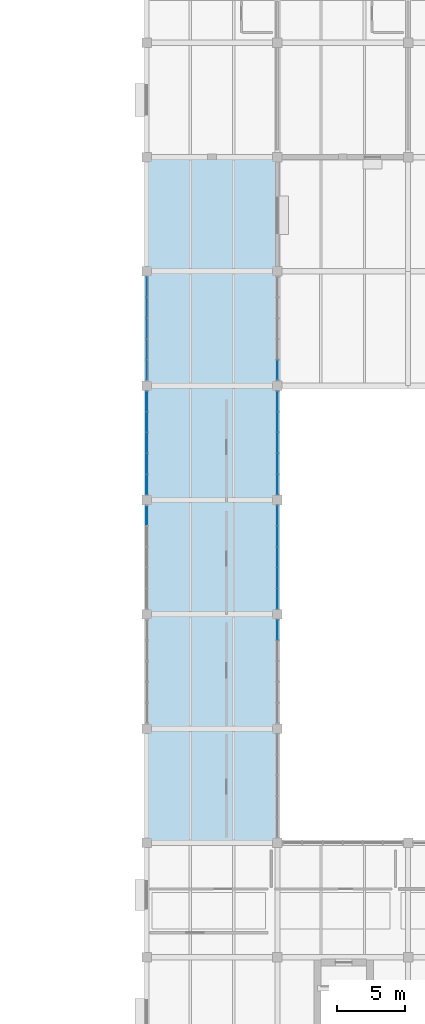
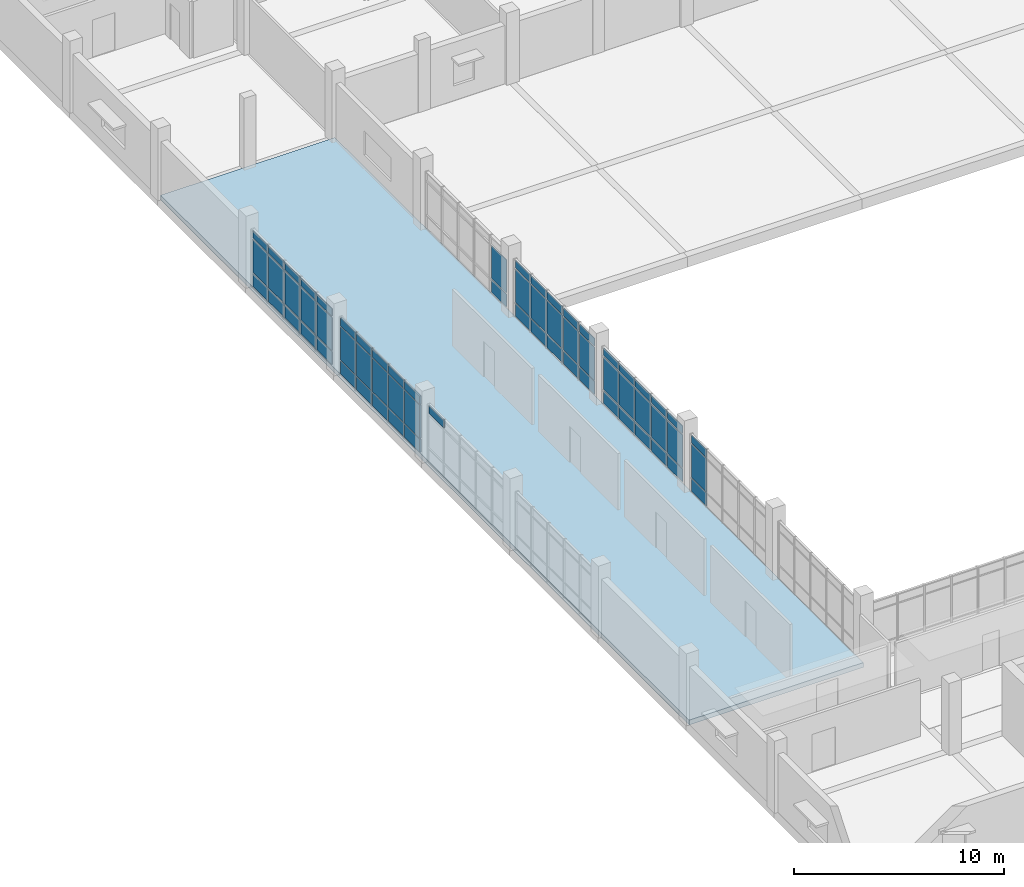
# One storey, part 28 of 57: 66 plates, 1 slab, 7 elements without a shape of their own.
"""IFC4 building model written with IfcOpenShell, lengths in metres."""

from ifc_helpers import new_model, si_unit, direction, frame, origin, origin_2d, place, context, subcontext, project, spatial, polyline, rectangle, outline, extrude, material, layer, layer_set, type_object, element, aggregate, save


model = new_model("IFC4")

# Units and contexts
model_context = context("Model", 3, precision=1e-05, world=origin(), true_north=direction((0.0, 1.0)))
body_context = subcontext(model_context, "Body", "Model", "MODEL_VIEW")
ifc_project = project(units=[si_unit("LENGTHUNIT", "METRE"), si_unit("AREAUNIT", "SQUARE_METRE"), si_unit("VOLUMEUNIT", "CUBIC_METRE"), si_unit("PLANEANGLEUNIT", "RADIAN"), si_unit("MASSUNIT", "GRAM", prefix="KILO")], contexts=[model_context])

# Site, building, storey
site_placement = place(None, origin())
site = spatial("IfcSite", under=ifc_project, at=site_placement, CompositionType="ELEMENT")
building_placement = place(site_placement, origin())
building = spatial("IfcBuilding", under=site, at=building_placement, Name="Oolite Switchyard Hospital", CompositionType="ELEMENT")
storey_placement = place(building_placement, frame((0.0, 0.0, 17.800048828125)))
storey = spatial("IfcBuildingStorey", under=building, at=storey_placement, Name="L04", CompositionType="ELEMENT", Elevation=17.800048828125)

# Curtain wall, plate
ifc_material_1 = material(Name="Thermally broken aluminum frame with laminated impact glazing", Category="aluminium")
curtain_wall_type = type_object("IfcCurtainWallType", Name="CW-UNIT-84X42", PredefinedType="USERDEFINED", material=ifc_material_1)
curtain_wall_1_placement = place(storey_placement, origin())
curtain_wall_1 = element("IfcCurtainWall", 1, at=curtain_wall_1_placement, inside=storey, type_object=curtain_wall_type, Name="L04 Unitised Curtain Wall 365", ObjectType="UNITISED", PredefinedType="USERDEFINED")
ifc_material_2 = material(Name="Insulated fluoropolymer-coated aluminum spandrel panel", Category="aluminium")
ifc_layer_1 = layer(ifc_material_2, 0.054931640625)
ifc_layer_set_1 = layer_set([ifc_layer_1], Name="CW-PNL-SPN55")
plate_type_1 = type_object("IfcPlateType", Name="CW-PNL-SPN55", PredefinedType="CURTAIN_PANEL", material=ifc_layer_set_1)
plate_1_placement = place(storey_placement, frame((134.39990234375, 49.2529296875, 2.87744140625), z_axis=(0.0, 0.0, 1.0), x_axis=(0.0, 1.0, 0.0)))
plate_1 = element("IfcPlate", 2, at=plate_1_placement, type_object=plate_type_1, Name="CW-10 panel 5.3", PredefinedType="CURTAIN_PANEL", context=body_context, shape_type="SweptSolid", body=[
    extrude(rectangle(XDim=1.444091796875, YDim=0.054931640625, at=origin_2d()), origin(), (0.0, 0.0, 1.0), 0.4375),
])
aggregate(curtain_wall_1, [plate_1])

# Curtain wall, plates
curtain_wall_2_placement = place(storey_placement, origin())
curtain_wall_2 = element("IfcCurtainWall", 3, at=curtain_wall_2_placement, inside=storey, type_object=curtain_wall_type, Name="L04 Unitised Curtain Wall 366", ObjectType="UNITISED", PredefinedType="USERDEFINED")
ifc_layer_2 = layer(ifc_material_2, 0.070068359375)
ifc_layer_set_2 = layer_set([ifc_layer_2], Name="CW-PNL-SPN70")
plate_type_2 = type_object("IfcPlateType", Name="CW-PNL-SPN70", PredefinedType="CURTAIN_PANEL", material=ifc_layer_set_2)
plate_2_placement = place(storey_placement, frame((134.39990234375, 51.549560546875, 0.06005859375), z_axis=(0.0, 0.0, 1.0), x_axis=(0.0, 1.0, 0.0)))
plate_2 = element("IfcPlate", 4, at=plate_2_placement, type_object=plate_type_2, Name="CW-10 panel 1.1", PredefinedType="CURTAIN_PANEL", context=body_context, shape_type="SweptSolid", body=[
    extrude(rectangle(XDim=1.428955078125, YDim=0.070068359375, at=origin_2d()), origin(), (0.0, 0.0, 1.0), 0.760009765625),
])
plate_3_placement = place(storey_placement, frame((134.39990234375, 51.549560546875, 0.8798828125), z_axis=(0.0, 0.0, 1.0), x_axis=(0.0, 1.0, 0.0)))
plate_3 = element("IfcPlate", 5, at=plate_3_placement, type_object=plate_type_2, Name="CW-10 panel 1.2", PredefinedType="CURTAIN_PANEL", context=body_context, shape_type="SweptSolid", body=[
    extrude(rectangle(XDim=1.428955078125, YDim=0.070068359375, at=origin_2d()), origin(), (0.0, 0.0, 1.0), 1.929931640625),
])
plate_4_placement = place(storey_placement, frame((134.39990234375, 51.549560546875, 2.869873046875), z_axis=(0.0, 0.0, 1.0), x_axis=(0.0, 1.0, 0.0)))
plate_4 = element("IfcPlate", 6, at=plate_4_placement, type_object=plate_type_2, Name="CW-10 panel 1.3", PredefinedType="CURTAIN_PANEL", context=body_context, shape_type="SweptSolid", body=[
    extrude(rectangle(XDim=1.428955078125, YDim=0.070068359375, at=origin_2d()), origin(), (0.0, 0.0, 1.0), 0.4599609375),
])
plate_5_placement = place(storey_placement, frame((134.39990234375, 53.06591796875, 0.06005859375), z_axis=(0.0, 0.0, 1.0), x_axis=(0.0, 1.0, 0.0)))
plate_5 = element("IfcPlate", 7, at=plate_5_placement, type_object=plate_type_2, Name="CW-10 panel 2.1", PredefinedType="CURTAIN_PANEL", context=body_context, shape_type="SweptSolid", body=[
    extrude(rectangle(XDim=1.464111328125, YDim=0.070068359375, at=origin_2d()), origin(), (0.0, 0.0, 1.0), 0.760009765625),
])
plate_6_placement = place(storey_placement, frame((134.39990234375, 53.06591796875, 0.8798828125), z_axis=(0.0, 0.0, 1.0), x_axis=(0.0, 1.0, 0.0)))
plate_6 = element("IfcPlate", 8, at=plate_6_placement, type_object=plate_type_2, Name="CW-10 panel 2.2", PredefinedType="CURTAIN_PANEL", context=body_context, shape_type="SweptSolid", body=[
    extrude(rectangle(XDim=1.464111328125, YDim=0.070068359375, at=origin_2d()), origin(), (0.0, 0.0, 1.0), 1.929931640625),
])
plate_7_placement = place(storey_placement, frame((134.39990234375, 53.06591796875, 2.869873046875), z_axis=(0.0, 0.0, 1.0), x_axis=(0.0, 1.0, 0.0)))
plate_7 = element("IfcPlate", 9, at=plate_7_placement, type_object=plate_type_2, Name="CW-10 panel 2.3", PredefinedType="CURTAIN_PANEL", context=body_context, shape_type="SweptSolid", body=[
    extrude(rectangle(XDim=1.464111328125, YDim=0.070068359375, at=origin_2d()), origin(), (0.0, 0.0, 1.0), 0.4599609375),
])
plate_8_placement = place(storey_placement, frame((134.39990234375, 54.60009765625, 0.06005859375), z_axis=(0.0, 0.0, 1.0), x_axis=(0.0, 1.0, 0.0)))
plate_8 = element("IfcPlate", 10, at=plate_8_placement, type_object=plate_type_2, Name="CW-10 panel 3.1", PredefinedType="CURTAIN_PANEL", context=body_context, shape_type="SweptSolid", body=[
    extrude(rectangle(XDim=1.464111328125, YDim=0.070068359375, at=origin_2d()), origin(), (0.0, 0.0, 1.0), 0.760009765625),
])
plate_9_placement = place(storey_placement, frame((134.39990234375, 54.60009765625, 0.8798828125), z_axis=(0.0, 0.0, 1.0), x_axis=(0.0, 1.0, 0.0)))
plate_9 = element("IfcPlate", 11, at=plate_9_placement, type_object=plate_type_2, Name="CW-10 panel 3.2", PredefinedType="CURTAIN_PANEL", context=body_context, shape_type="SweptSolid", body=[
    extrude(rectangle(XDim=1.464111328125, YDim=0.070068359375, at=origin_2d()), origin(), (0.0, 0.0, 1.0), 1.929931640625),
])
plate_10_placement = place(storey_placement, frame((134.39990234375, 54.60009765625, 2.869873046875), z_axis=(0.0, 0.0, 1.0), x_axis=(0.0, 1.0, 0.0)))
plate_10 = element("IfcPlate", 12, at=plate_10_placement, type_object=plate_type_2, Name="CW-10 panel 3.3", PredefinedType="CURTAIN_PANEL", context=body_context, shape_type="SweptSolid", body=[
    extrude(rectangle(XDim=1.464111328125, YDim=0.070068359375, at=origin_2d()), origin(), (0.0, 0.0, 1.0), 0.4599609375),
])
plate_11_placement = place(storey_placement, frame((134.39990234375, 56.134033203125, 0.06005859375), z_axis=(0.0, 0.0, 1.0), x_axis=(0.0, 1.0, 0.0)))
plate_11 = element("IfcPlate", 13, at=plate_11_placement, type_object=plate_type_2, Name="CW-10 panel 4.1", PredefinedType="CURTAIN_PANEL", context=body_context, shape_type="SweptSolid", body=[
    extrude(rectangle(XDim=1.464111328125, YDim=0.070068359375, at=origin_2d()), origin(), (0.0, 0.0, 1.0), 0.760009765625),
])
plate_12_placement = place(storey_placement, frame((134.39990234375, 56.134033203125, 0.8798828125), z_axis=(0.0, 0.0, 1.0), x_axis=(0.0, 1.0, 0.0)))
plate_12 = element("IfcPlate", 14, at=plate_12_placement, type_object=plate_type_2, Name="CW-10 panel 4.2", PredefinedType="CURTAIN_PANEL", context=body_context, shape_type="SweptSolid", body=[
    extrude(rectangle(XDim=1.464111328125, YDim=0.070068359375, at=origin_2d()), origin(), (0.0, 0.0, 1.0), 1.929931640625),
])
plate_13_placement = place(storey_placement, frame((134.39990234375, 56.134033203125, 2.869873046875), z_axis=(0.0, 0.0, 1.0), x_axis=(0.0, 1.0, 0.0)))
plate_13 = element("IfcPlate", 15, at=plate_13_placement, type_object=plate_type_2, Name="CW-10 panel 4.3", PredefinedType="CURTAIN_PANEL", context=body_context, shape_type="SweptSolid", body=[
    extrude(rectangle(XDim=1.464111328125, YDim=0.070068359375, at=origin_2d()), origin(), (0.0, 0.0, 1.0), 0.4599609375),
])
plate_14_placement = place(storey_placement, frame((134.39990234375, 57.650390625, 0.06005859375), z_axis=(0.0, 0.0, 1.0), x_axis=(0.0, 1.0, 0.0)))
plate_14 = element("IfcPlate", 16, at=plate_14_placement, type_object=plate_type_2, Name="CW-10 panel 5.1", PredefinedType="CURTAIN_PANEL", context=body_context, shape_type="SweptSolid", body=[
    extrude(rectangle(XDim=1.428955078125, YDim=0.070068359375, at=origin_2d()), origin(), (0.0, 0.0, 1.0), 0.760009765625),
])
plate_15_placement = place(storey_placement, frame((134.39990234375, 57.650390625, 0.8798828125), z_axis=(0.0, 0.0, 1.0), x_axis=(0.0, 1.0, 0.0)))
plate_15 = element("IfcPlate", 17, at=plate_15_placement, type_object=plate_type_2, Name="CW-10 panel 5.2", PredefinedType="CURTAIN_PANEL", context=body_context, shape_type="SweptSolid", body=[
    extrude(rectangle(XDim=1.428955078125, YDim=0.070068359375, at=origin_2d()), origin(), (0.0, 0.0, 1.0), 1.929931640625),
])
plate_16_placement = place(storey_placement, frame((134.39990234375, 57.650390625, 2.869873046875), z_axis=(0.0, 0.0, 1.0), x_axis=(0.0, 1.0, 0.0)))
plate_16 = element("IfcPlate", 18, at=plate_16_placement, type_object=plate_type_2, Name="CW-10 panel 5.3", PredefinedType="CURTAIN_PANEL", context=body_context, shape_type="SweptSolid", body=[
    extrude(rectangle(XDim=1.428955078125, YDim=0.070068359375, at=origin_2d()), origin(), (0.0, 0.0, 1.0), 0.4599609375),
])
aggregate(curtain_wall_2, [plate_2, plate_3, plate_4, plate_5, plate_6, plate_7, plate_8, plate_9, plate_10, plate_11, plate_12, plate_13, plate_14, plate_15, plate_16])

curtain_wall_3_placement = place(storey_placement, origin())
curtain_wall_3 = element("IfcCurtainWall", 19, at=curtain_wall_3_placement, inside=storey, type_object=curtain_wall_type, Name="L04 Unitised Curtain Wall 367", ObjectType="UNITISED", PredefinedType="USERDEFINED")
ifc_material_3 = material(Name="Laminated hurricane-impact insulated glazing unit", Category="glass")
ifc_layer_3 = layer(ifc_material_3, 0.028076171875)
ifc_layer_set_3 = layer_set([ifc_layer_3], Name="CW-PNL-VIS28")
plate_type_3 = type_object("IfcPlateType", Name="CW-PNL-VIS28", PredefinedType="CURTAIN_PANEL", material=ifc_layer_set_3)
plate_17_placement = place(storey_placement, frame((134.39990234375, 59.95068359375, 0.07470703125), z_axis=(0.0, 0.0, 1.0), x_axis=(0.0, 1.0, 0.0)))
plate_17 = element("IfcPlate", 20, at=plate_17_placement, type_object=plate_type_3, Name="CW-10 panel 1.1", PredefinedType="CURTAIN_PANEL", context=body_context, shape_type="SweptSolid", body=[
    extrude(rectangle(XDim=1.42138671875, YDim=0.028076171875, at=origin_2d()), origin(), (0.0, 0.0, 1.0), 0.737548828125),
])
plate_18_placement = place(storey_placement, frame((134.39990234375, 59.95068359375, 0.887451171875), z_axis=(0.0, 0.0, 1.0), x_axis=(0.0, 1.0, 0.0)))
plate_18 = element("IfcPlate", 21, at=plate_18_placement, type_object=plate_type_3, Name="CW-10 panel 1.2", PredefinedType="CURTAIN_PANEL", context=body_context, shape_type="SweptSolid", body=[
    extrude(rectangle(XDim=1.42138671875, YDim=0.028076171875, at=origin_2d()), origin(), (0.0, 0.0, 1.0), 1.9150390625),
])
plate_19_placement = place(storey_placement, frame((134.39990234375, 59.95068359375, 2.87744140625), z_axis=(0.0, 0.0, 1.0), x_axis=(0.0, 1.0, 0.0)))
plate_19 = element("IfcPlate", 22, at=plate_19_placement, type_object=plate_type_3, Name="CW-10 panel 1.3", PredefinedType="CURTAIN_PANEL", context=body_context, shape_type="SweptSolid", body=[
    extrude(rectangle(XDim=1.42138671875, YDim=0.028076171875, at=origin_2d()), origin(), (0.0, 0.0, 1.0), 0.4375),
])
plate_20_placement = place(storey_placement, frame((134.39990234375, 61.466064453125, 0.07470703125), z_axis=(0.0, 0.0, 1.0), x_axis=(0.0, 1.0, 0.0)))
plate_20 = element("IfcPlate", 23, at=plate_20_placement, type_object=plate_type_3, Name="CW-10 panel 2.1", PredefinedType="CURTAIN_PANEL", context=body_context, shape_type="SweptSolid", body=[
    extrude(rectangle(XDim=1.458984375, YDim=0.028076171875, at=origin_2d()), origin(), (0.0, 0.0, 1.0), 0.737548828125),
])
plate_21_placement = place(storey_placement, frame((134.39990234375, 61.466064453125, 0.887451171875), z_axis=(0.0, 0.0, 1.0), x_axis=(0.0, 1.0, 0.0)))
plate_21 = element("IfcPlate", 24, at=plate_21_placement, type_object=plate_type_3, Name="CW-10 panel 2.2", PredefinedType="CURTAIN_PANEL", context=body_context, shape_type="SweptSolid", body=[
    extrude(rectangle(XDim=1.458984375, YDim=0.028076171875, at=origin_2d()), origin(), (0.0, 0.0, 1.0), 1.9150390625),
])
plate_22_placement = place(storey_placement, frame((134.39990234375, 61.466064453125, 2.87744140625), z_axis=(0.0, 0.0, 1.0), x_axis=(0.0, 1.0, 0.0)))
plate_22 = element("IfcPlate", 25, at=plate_22_placement, type_object=plate_type_3, Name="CW-10 panel 2.3", PredefinedType="CURTAIN_PANEL", context=body_context, shape_type="SweptSolid", body=[
    extrude(rectangle(XDim=1.458984375, YDim=0.028076171875, at=origin_2d()), origin(), (0.0, 0.0, 1.0), 0.4375),
])
plate_23_placement = place(storey_placement, frame((134.39990234375, 63.0, 0.07470703125), z_axis=(0.0, 0.0, 1.0), x_axis=(0.0, 1.0, 0.0)))
plate_23 = element("IfcPlate", 26, at=plate_23_placement, type_object=plate_type_3, Name="CW-10 panel 3.1", PredefinedType="CURTAIN_PANEL", context=body_context, shape_type="SweptSolid", body=[
    extrude(rectangle(XDim=1.458984375, YDim=0.028076171875, at=origin_2d()), origin(), (0.0, 0.0, 1.0), 0.737548828125),
])
plate_24_placement = place(storey_placement, frame((134.39990234375, 63.0, 0.887451171875), z_axis=(0.0, 0.0, 1.0), x_axis=(0.0, 1.0, 0.0)))
plate_24 = element("IfcPlate", 27, at=plate_24_placement, type_object=plate_type_3, Name="CW-10 panel 3.2", PredefinedType="CURTAIN_PANEL", context=body_context, shape_type="SweptSolid", body=[
    extrude(rectangle(XDim=1.458984375, YDim=0.028076171875, at=origin_2d()), origin(), (0.0, 0.0, 1.0), 1.9150390625),
])
plate_25_placement = place(storey_placement, frame((134.39990234375, 63.0, 2.87744140625), z_axis=(0.0, 0.0, 1.0), x_axis=(0.0, 1.0, 0.0)))
plate_25 = element("IfcPlate", 28, at=plate_25_placement, type_object=plate_type_3, Name="CW-10 panel 3.3", PredefinedType="CURTAIN_PANEL", context=body_context, shape_type="SweptSolid", body=[
    extrude(rectangle(XDim=1.458984375, YDim=0.028076171875, at=origin_2d()), origin(), (0.0, 0.0, 1.0), 0.4375),
])
plate_26_placement = place(storey_placement, frame((134.39990234375, 64.533935546875, 0.07470703125), z_axis=(0.0, 0.0, 1.0), x_axis=(0.0, 1.0, 0.0)))
plate_26 = element("IfcPlate", 29, at=plate_26_placement, type_object=plate_type_3, Name="CW-10 panel 4.1", PredefinedType="CURTAIN_PANEL", context=body_context, shape_type="SweptSolid", body=[
    extrude(rectangle(XDim=1.458984375, YDim=0.028076171875, at=origin_2d()), origin(), (0.0, 0.0, 1.0), 0.737548828125),
])
plate_27_placement = place(storey_placement, frame((134.39990234375, 64.533935546875, 0.887451171875), z_axis=(0.0, 0.0, 1.0), x_axis=(0.0, 1.0, 0.0)))
plate_27 = element("IfcPlate", 30, at=plate_27_placement, type_object=plate_type_3, Name="CW-10 panel 4.2", PredefinedType="CURTAIN_PANEL", context=body_context, shape_type="SweptSolid", body=[
    extrude(rectangle(XDim=1.458984375, YDim=0.028076171875, at=origin_2d()), origin(), (0.0, 0.0, 1.0), 1.9150390625),
])
plate_28_placement = place(storey_placement, frame((134.39990234375, 64.533935546875, 2.87744140625), z_axis=(0.0, 0.0, 1.0), x_axis=(0.0, 1.0, 0.0)))
plate_28 = element("IfcPlate", 31, at=plate_28_placement, type_object=plate_type_3, Name="CW-10 panel 4.3", PredefinedType="CURTAIN_PANEL", context=body_context, shape_type="SweptSolid", body=[
    extrude(rectangle(XDim=1.458984375, YDim=0.028076171875, at=origin_2d()), origin(), (0.0, 0.0, 1.0), 0.4375),
])
plate_29_placement = place(storey_placement, frame((134.39990234375, 66.04931640625, 0.07470703125), z_axis=(0.0, 0.0, 1.0), x_axis=(0.0, 1.0, 0.0)))
plate_29 = element("IfcPlate", 32, at=plate_29_placement, type_object=plate_type_3, Name="CW-10 panel 5.1", PredefinedType="CURTAIN_PANEL", context=body_context, shape_type="SweptSolid", body=[
    extrude(rectangle(XDim=1.42138671875, YDim=0.028076171875, at=origin_2d()), origin(), (0.0, 0.0, 1.0), 0.737548828125),
])
plate_30_placement = place(storey_placement, frame((134.39990234375, 66.04931640625, 0.887451171875), z_axis=(0.0, 0.0, 1.0), x_axis=(0.0, 1.0, 0.0)))
plate_30 = element("IfcPlate", 33, at=plate_30_placement, type_object=plate_type_3, Name="CW-10 panel 5.2", PredefinedType="CURTAIN_PANEL", context=body_context, shape_type="SweptSolid", body=[
    extrude(rectangle(XDim=1.42138671875, YDim=0.028076171875, at=origin_2d()), origin(), (0.0, 0.0, 1.0), 1.9150390625),
])
plate_31_placement = place(storey_placement, frame((134.39990234375, 66.04931640625, 2.87744140625), z_axis=(0.0, 0.0, 1.0), x_axis=(0.0, 1.0, 0.0)))
plate_31 = element("IfcPlate", 34, at=plate_31_placement, type_object=plate_type_3, Name="CW-10 panel 5.3", PredefinedType="CURTAIN_PANEL", context=body_context, shape_type="SweptSolid", body=[
    extrude(rectangle(XDim=1.42138671875, YDim=0.028076171875, at=origin_2d()), origin(), (0.0, 0.0, 1.0), 0.4375),
])
aggregate(curtain_wall_3, [plate_17, plate_18, plate_19, plate_20, plate_21, plate_22, plate_23, plate_24, plate_25, plate_26, plate_27, plate_28, plate_29, plate_30, plate_31])

curtain_wall_4_placement = place(storey_placement, origin())
curtain_wall_4 = element("IfcCurtainWall", 35, at=curtain_wall_4_placement, inside=storey, type_object=curtain_wall_type, Name="L04 Unitised Curtain Wall 369", ObjectType="UNITISED", PredefinedType="USERDEFINED")
plate_32_placement = place(storey_placement, frame((144.0, 59.949462890625, 0.07470703125), z_axis=(0.0, 0.0, 1.0), x_axis=(0.0, -1.0, 0.0)))
plate_32 = element("IfcPlate", 36, at=plate_32_placement, type_object=plate_type_3, Name="CW-10 panel 5.1", PredefinedType="CURTAIN_PANEL", context=body_context, shape_type="SweptSolid", body=[
    extrude(rectangle(XDim=1.428955078125, YDim=0.028076171875, at=origin_2d()), origin(), (0.0, 0.0, 1.0), 0.737548828125),
])
plate_33_placement = place(storey_placement, frame((144.0, 59.949462890625, 0.887451171875), z_axis=(0.0, 0.0, 1.0), x_axis=(0.0, -1.0, 0.0)))
plate_33 = element("IfcPlate", 37, at=plate_33_placement, type_object=plate_type_3, Name="CW-10 panel 5.2", PredefinedType="CURTAIN_PANEL", context=body_context, shape_type="SweptSolid", body=[
    extrude(rectangle(XDim=1.428955078125, YDim=0.028076171875, at=origin_2d()), origin(), (0.0, 0.0, 1.0), 1.9150390625),
])
aggregate(curtain_wall_4, [plate_32, plate_33])

curtain_wall_5_placement = place(storey_placement, origin())
curtain_wall_5 = element("IfcCurtainWall", 38, at=curtain_wall_5_placement, inside=storey, type_object=curtain_wall_type, Name="L04 Unitised Curtain Wall 370", ObjectType="UNITISED", PredefinedType="USERDEFINED")
ifc_layer_4 = layer(ifc_material_3, 0.031982421875)
ifc_layer_set_4 = layer_set([ifc_layer_4], Name="CW-PNL-VIS32")
plate_type_4 = type_object("IfcPlateType", Name="CW-PNL-VIS32", PredefinedType="CURTAIN_PANEL", material=ifc_layer_set_4)
plate_34_placement = place(storey_placement, frame((144.0, 57.649169921875, 0.06005859375), z_axis=(0.0, 0.0, 1.0), x_axis=(0.0, -1.0, 0.0)))
plate_34 = element("IfcPlate", 39, at=plate_34_placement, type_object=plate_type_4, Name="CW-10 panel 1.1", PredefinedType="CURTAIN_PANEL", context=body_context, shape_type="SweptSolid", body=[
    extrude(rectangle(XDim=1.42138671875, YDim=0.031982421875, at=origin_2d()), origin(), (0.0, 0.0, 1.0), 0.760009765625),
])
plate_35_placement = place(storey_placement, frame((144.0, 57.649169921875, 0.8798828125), z_axis=(0.0, 0.0, 1.0), x_axis=(0.0, -1.0, 0.0)))
plate_35 = element("IfcPlate", 40, at=plate_35_placement, type_object=plate_type_4, Name="CW-10 panel 1.2", PredefinedType="CURTAIN_PANEL", context=body_context, shape_type="SweptSolid", body=[
    extrude(rectangle(XDim=1.42138671875, YDim=0.031982421875, at=origin_2d()), origin(), (0.0, 0.0, 1.0), 1.929931640625),
])
plate_36_placement = place(storey_placement, frame((144.0, 57.649169921875, 2.869873046875), z_axis=(0.0, 0.0, 1.0), x_axis=(0.0, -1.0, 0.0)))
plate_36 = element("IfcPlate", 41, at=plate_36_placement, type_object=plate_type_4, Name="CW-10 panel 1.3", PredefinedType="CURTAIN_PANEL", context=body_context, shape_type="SweptSolid", body=[
    extrude(rectangle(XDim=1.42138671875, YDim=0.031982421875, at=origin_2d()), origin(), (0.0, 0.0, 1.0), 0.4599609375),
])
plate_37_placement = place(storey_placement, frame((144.0, 56.134033203125, 0.06005859375), z_axis=(0.0, 0.0, 1.0), x_axis=(0.0, -1.0, 0.0)))
plate_37 = element("IfcPlate", 42, at=plate_37_placement, type_object=plate_type_4, Name="CW-10 panel 2.1", PredefinedType="CURTAIN_PANEL", context=body_context, shape_type="SweptSolid", body=[
    extrude(rectangle(XDim=1.458984375, YDim=0.031982421875, at=origin_2d()), origin(), (0.0, 0.0, 1.0), 0.760009765625),
])
plate_38_placement = place(storey_placement, frame((144.0, 56.134033203125, 0.8798828125), z_axis=(0.0, 0.0, 1.0), x_axis=(0.0, -1.0, 0.0)))
plate_38 = element("IfcPlate", 43, at=plate_38_placement, type_object=plate_type_4, Name="CW-10 panel 2.2", PredefinedType="CURTAIN_PANEL", context=body_context, shape_type="SweptSolid", body=[
    extrude(rectangle(XDim=1.458984375, YDim=0.031982421875, at=origin_2d()), origin(), (0.0, 0.0, 1.0), 1.929931640625),
])
plate_39_placement = place(storey_placement, frame((144.0, 56.134033203125, 2.869873046875), z_axis=(0.0, 0.0, 1.0), x_axis=(0.0, -1.0, 0.0)))
plate_39 = element("IfcPlate", 44, at=plate_39_placement, type_object=plate_type_4, Name="CW-10 panel 2.3", PredefinedType="CURTAIN_PANEL", context=body_context, shape_type="SweptSolid", body=[
    extrude(rectangle(XDim=1.458984375, YDim=0.031982421875, at=origin_2d()), origin(), (0.0, 0.0, 1.0), 0.4599609375),
])
plate_40_placement = place(storey_placement, frame((144.0, 54.60009765625, 0.06005859375), z_axis=(0.0, 0.0, 1.0), x_axis=(0.0, -1.0, 0.0)))
plate_40 = element("IfcPlate", 45, at=plate_40_placement, type_object=plate_type_4, Name="CW-10 panel 3.1", PredefinedType="CURTAIN_PANEL", context=body_context, shape_type="SweptSolid", body=[
    extrude(rectangle(XDim=1.458984375, YDim=0.031982421875, at=origin_2d()), origin(), (0.0, 0.0, 1.0), 0.760009765625),
])
plate_41_placement = place(storey_placement, frame((144.0, 54.60009765625, 0.8798828125), z_axis=(0.0, 0.0, 1.0), x_axis=(0.0, -1.0, 0.0)))
plate_41 = element("IfcPlate", 46, at=plate_41_placement, type_object=plate_type_4, Name="CW-10 panel 3.2", PredefinedType="CURTAIN_PANEL", context=body_context, shape_type="SweptSolid", body=[
    extrude(rectangle(XDim=1.458984375, YDim=0.031982421875, at=origin_2d()), origin(), (0.0, 0.0, 1.0), 1.929931640625),
])
plate_42_placement = place(storey_placement, frame((144.0, 54.60009765625, 2.869873046875), z_axis=(0.0, 0.0, 1.0), x_axis=(0.0, -1.0, 0.0)))
plate_42 = element("IfcPlate", 47, at=plate_42_placement, type_object=plate_type_4, Name="CW-10 panel 3.3", PredefinedType="CURTAIN_PANEL", context=body_context, shape_type="SweptSolid", body=[
    extrude(rectangle(XDim=1.458984375, YDim=0.031982421875, at=origin_2d()), origin(), (0.0, 0.0, 1.0), 0.4599609375),
])
plate_43_placement = place(storey_placement, frame((144.0, 53.06591796875, 0.06005859375), z_axis=(0.0, 0.0, 1.0), x_axis=(0.0, -1.0, 0.0)))
plate_43 = element("IfcPlate", 48, at=plate_43_placement, type_object=plate_type_4, Name="CW-10 panel 4.1", PredefinedType="CURTAIN_PANEL", context=body_context, shape_type="SweptSolid", body=[
    extrude(rectangle(XDim=1.458984375, YDim=0.031982421875, at=origin_2d()), origin(), (0.0, 0.0, 1.0), 0.760009765625),
])
plate_44_placement = place(storey_placement, frame((144.0, 53.06591796875, 0.8798828125), z_axis=(0.0, 0.0, 1.0), x_axis=(0.0, -1.0, 0.0)))
plate_44 = element("IfcPlate", 49, at=plate_44_placement, type_object=plate_type_4, Name="CW-10 panel 4.2", PredefinedType="CURTAIN_PANEL", context=body_context, shape_type="SweptSolid", body=[
    extrude(rectangle(XDim=1.458984375, YDim=0.031982421875, at=origin_2d()), origin(), (0.0, 0.0, 1.0), 1.929931640625),
])
plate_45_placement = place(storey_placement, frame((144.0, 53.06591796875, 2.869873046875), z_axis=(0.0, 0.0, 1.0), x_axis=(0.0, -1.0, 0.0)))
plate_45 = element("IfcPlate", 50, at=plate_45_placement, type_object=plate_type_4, Name="CW-10 panel 4.3", PredefinedType="CURTAIN_PANEL", context=body_context, shape_type="SweptSolid", body=[
    extrude(rectangle(XDim=1.458984375, YDim=0.031982421875, at=origin_2d()), origin(), (0.0, 0.0, 1.0), 0.4599609375),
])
plate_46_placement = place(storey_placement, frame((144.0, 51.55078125, 0.06005859375), z_axis=(0.0, 0.0, 1.0), x_axis=(0.0, -1.0, 0.0)))
plate_46 = element("IfcPlate", 51, at=plate_46_placement, type_object=plate_type_4, Name="CW-10 panel 5.1", PredefinedType="CURTAIN_PANEL", context=body_context, shape_type="SweptSolid", body=[
    extrude(rectangle(XDim=1.42138671875, YDim=0.031982421875, at=origin_2d()), origin(), (0.0, 0.0, 1.0), 0.760009765625),
])
plate_47_placement = place(storey_placement, frame((144.0, 51.55078125, 0.8798828125), z_axis=(0.0, 0.0, 1.0), x_axis=(0.0, -1.0, 0.0)))
plate_47 = element("IfcPlate", 52, at=plate_47_placement, type_object=plate_type_4, Name="CW-10 panel 5.2", PredefinedType="CURTAIN_PANEL", context=body_context, shape_type="SweptSolid", body=[
    extrude(rectangle(XDim=1.42138671875, YDim=0.031982421875, at=origin_2d()), origin(), (0.0, 0.0, 1.0), 1.929931640625),
])
plate_48_placement = place(storey_placement, frame((144.0, 51.55078125, 2.869873046875), z_axis=(0.0, 0.0, 1.0), x_axis=(0.0, -1.0, 0.0)))
plate_48 = element("IfcPlate", 53, at=plate_48_placement, type_object=plate_type_4, Name="CW-10 panel 5.3", PredefinedType="CURTAIN_PANEL", context=body_context, shape_type="SweptSolid", body=[
    extrude(rectangle(XDim=1.42138671875, YDim=0.031982421875, at=origin_2d()), origin(), (0.0, 0.0, 1.0), 0.4599609375),
])
aggregate(curtain_wall_5, [plate_34, plate_35, plate_36, plate_37, plate_38, plate_39, plate_40, plate_41, plate_42, plate_43, plate_44, plate_45, plate_46, plate_47, plate_48])

curtain_wall_6_placement = place(storey_placement, origin())
curtain_wall_6 = element("IfcCurtainWall", 54, at=curtain_wall_6_placement, inside=storey, type_object=curtain_wall_type, Name="L04 Unitised Curtain Wall 371", ObjectType="UNITISED", PredefinedType="USERDEFINED")
ifc_layer_5 = layer(ifc_material_3, 0.035888671875)
ifc_layer_set_5 = layer_set([ifc_layer_5], Name="CW-PNL-VIS36")
plate_type_5 = type_object("IfcPlateType", Name="CW-PNL-VIS36", PredefinedType="CURTAIN_PANEL", material=ifc_layer_set_5)
plate_49_placement = place(storey_placement, frame((144.0, 49.2529296875, 0.07470703125), z_axis=(0.0, 0.0, 1.0), x_axis=(0.0, -1.0, 0.0)))
plate_49 = element("IfcPlate", 55, at=plate_49_placement, type_object=plate_type_5, Name="CW-10 panel 1.1", PredefinedType="CURTAIN_PANEL", context=body_context, shape_type="SweptSolid", body=[
    extrude(rectangle(XDim=1.444091796875, YDim=0.035888671875, at=origin_2d()), origin(), (0.0, 0.0, 1.0), 0.737548828125),
])
plate_50_placement = place(storey_placement, frame((144.0, 49.2529296875, 0.887451171875), z_axis=(0.0, 0.0, 1.0), x_axis=(0.0, -1.0, 0.0)))
plate_50 = element("IfcPlate", 56, at=plate_50_placement, type_object=plate_type_5, Name="CW-10 panel 1.2", PredefinedType="CURTAIN_PANEL", context=body_context, shape_type="SweptSolid", body=[
    extrude(rectangle(XDim=1.444091796875, YDim=0.035888671875, at=origin_2d()), origin(), (0.0, 0.0, 1.0), 1.9150390625),
])
plate_51_placement = place(storey_placement, frame((144.0, 49.2529296875, 2.87744140625), z_axis=(0.0, 0.0, 1.0), x_axis=(0.0, -1.0, 0.0)))
plate_51 = element("IfcPlate", 57, at=plate_51_placement, type_object=plate_type_5, Name="CW-10 panel 1.3", PredefinedType="CURTAIN_PANEL", context=body_context, shape_type="SweptSolid", body=[
    extrude(rectangle(XDim=1.444091796875, YDim=0.035888671875, at=origin_2d()), origin(), (0.0, 0.0, 1.0), 0.4375),
])
plate_52_placement = place(storey_placement, frame((144.0, 47.73388671875, 0.07470703125), z_axis=(0.0, 0.0, 1.0), x_axis=(0.0, -1.0, 0.0)))
plate_52 = element("IfcPlate", 58, at=plate_52_placement, type_object=plate_type_5, Name="CW-10 panel 2.1", PredefinedType="CURTAIN_PANEL", context=body_context, shape_type="SweptSolid", body=[
    extrude(rectangle(XDim=1.47412109375, YDim=0.035888671875, at=origin_2d()), origin(), (0.0, 0.0, 1.0), 0.737548828125),
])
plate_53_placement = place(storey_placement, frame((144.0, 47.73388671875, 0.887451171875), z_axis=(0.0, 0.0, 1.0), x_axis=(0.0, -1.0, 0.0)))
plate_53 = element("IfcPlate", 59, at=plate_53_placement, type_object=plate_type_5, Name="CW-10 panel 2.2", PredefinedType="CURTAIN_PANEL", context=body_context, shape_type="SweptSolid", body=[
    extrude(rectangle(XDim=1.47412109375, YDim=0.035888671875, at=origin_2d()), origin(), (0.0, 0.0, 1.0), 1.9150390625),
])
plate_54_placement = place(storey_placement, frame((144.0, 47.73388671875, 2.87744140625), z_axis=(0.0, 0.0, 1.0), x_axis=(0.0, -1.0, 0.0)))
plate_54 = element("IfcPlate", 60, at=plate_54_placement, type_object=plate_type_5, Name="CW-10 panel 2.3", PredefinedType="CURTAIN_PANEL", context=body_context, shape_type="SweptSolid", body=[
    extrude(rectangle(XDim=1.47412109375, YDim=0.035888671875, at=origin_2d()), origin(), (0.0, 0.0, 1.0), 0.4375),
])
plate_55_placement = place(storey_placement, frame((144.0, 46.199951171875, 0.07470703125), z_axis=(0.0, 0.0, 1.0), x_axis=(0.0, -1.0, 0.0)))
plate_55 = element("IfcPlate", 61, at=plate_55_placement, type_object=plate_type_5, Name="CW-10 panel 3.1", PredefinedType="CURTAIN_PANEL", context=body_context, shape_type="SweptSolid", body=[
    extrude(rectangle(XDim=1.47412109375, YDim=0.035888671875, at=origin_2d()), origin(), (0.0, 0.0, 1.0), 0.737548828125),
])
plate_56_placement = place(storey_placement, frame((144.0, 46.199951171875, 0.887451171875), z_axis=(0.0, 0.0, 1.0), x_axis=(0.0, -1.0, 0.0)))
plate_56 = element("IfcPlate", 62, at=plate_56_placement, type_object=plate_type_5, Name="CW-10 panel 3.2", PredefinedType="CURTAIN_PANEL", context=body_context, shape_type="SweptSolid", body=[
    extrude(rectangle(XDim=1.47412109375, YDim=0.035888671875, at=origin_2d()), origin(), (0.0, 0.0, 1.0), 1.9150390625),
])
plate_57_placement = place(storey_placement, frame((144.0, 46.199951171875, 2.87744140625), z_axis=(0.0, 0.0, 1.0), x_axis=(0.0, -1.0, 0.0)))
plate_57 = element("IfcPlate", 63, at=plate_57_placement, type_object=plate_type_5, Name="CW-10 panel 3.3", PredefinedType="CURTAIN_PANEL", context=body_context, shape_type="SweptSolid", body=[
    extrude(rectangle(XDim=1.47412109375, YDim=0.035888671875, at=origin_2d()), origin(), (0.0, 0.0, 1.0), 0.4375),
])
plate_58_placement = place(storey_placement, frame((144.0, 44.666015625, 0.07470703125), z_axis=(0.0, 0.0, 1.0), x_axis=(0.0, -1.0, 0.0)))
plate_58 = element("IfcPlate", 64, at=plate_58_placement, type_object=plate_type_5, Name="CW-10 panel 4.1", PredefinedType="CURTAIN_PANEL", context=body_context, shape_type="SweptSolid", body=[
    extrude(rectangle(XDim=1.47412109375, YDim=0.035888671875, at=origin_2d()), origin(), (0.0, 0.0, 1.0), 0.737548828125),
])
plate_59_placement = place(storey_placement, frame((144.0, 44.666015625, 0.887451171875), z_axis=(0.0, 0.0, 1.0), x_axis=(0.0, -1.0, 0.0)))
plate_59 = element("IfcPlate", 65, at=plate_59_placement, type_object=plate_type_5, Name="CW-10 panel 4.2", PredefinedType="CURTAIN_PANEL", context=body_context, shape_type="SweptSolid", body=[
    extrude(rectangle(XDim=1.47412109375, YDim=0.035888671875, at=origin_2d()), origin(), (0.0, 0.0, 1.0), 1.9150390625),
])
plate_60_placement = place(storey_placement, frame((144.0, 44.666015625, 2.87744140625), z_axis=(0.0, 0.0, 1.0), x_axis=(0.0, -1.0, 0.0)))
plate_60 = element("IfcPlate", 66, at=plate_60_placement, type_object=plate_type_5, Name="CW-10 panel 4.3", PredefinedType="CURTAIN_PANEL", context=body_context, shape_type="SweptSolid", body=[
    extrude(rectangle(XDim=1.47412109375, YDim=0.035888671875, at=origin_2d()), origin(), (0.0, 0.0, 1.0), 0.4375),
])
plate_61_placement = place(storey_placement, frame((144.0, 43.14697265625, 0.07470703125), z_axis=(0.0, 0.0, 1.0), x_axis=(0.0, -1.0, 0.0)))
plate_61 = element("IfcPlate", 67, at=plate_61_placement, type_object=plate_type_5, Name="CW-10 panel 5.1", PredefinedType="CURTAIN_PANEL", context=body_context, shape_type="SweptSolid", body=[
    extrude(rectangle(XDim=1.444091796875, YDim=0.035888671875, at=origin_2d()), origin(), (0.0, 0.0, 1.0), 0.737548828125),
])
plate_62_placement = place(storey_placement, frame((144.0, 43.14697265625, 0.887451171875), z_axis=(0.0, 0.0, 1.0), x_axis=(0.0, -1.0, 0.0)))
plate_62 = element("IfcPlate", 68, at=plate_62_placement, type_object=plate_type_5, Name="CW-10 panel 5.2", PredefinedType="CURTAIN_PANEL", context=body_context, shape_type="SweptSolid", body=[
    extrude(rectangle(XDim=1.444091796875, YDim=0.035888671875, at=origin_2d()), origin(), (0.0, 0.0, 1.0), 1.9150390625),
])
plate_63_placement = place(storey_placement, frame((144.0, 43.14697265625, 2.87744140625), z_axis=(0.0, 0.0, 1.0), x_axis=(0.0, -1.0, 0.0)))
plate_63 = element("IfcPlate", 69, at=plate_63_placement, type_object=plate_type_5, Name="CW-10 panel 5.3", PredefinedType="CURTAIN_PANEL", context=body_context, shape_type="SweptSolid", body=[
    extrude(rectangle(XDim=1.444091796875, YDim=0.035888671875, at=origin_2d()), origin(), (0.0, 0.0, 1.0), 0.4375),
])
aggregate(curtain_wall_6, [plate_49, plate_50, plate_51, plate_52, plate_53, plate_54, plate_55, plate_56, plate_57, plate_58, plate_59, plate_60, plate_61, plate_62, plate_63])

curtain_wall_7_placement = place(storey_placement, origin())
curtain_wall_7 = element("IfcCurtainWall", 70, at=curtain_wall_7_placement, inside=storey, type_object=curtain_wall_type, Name="L04 Unitised Curtain Wall 372", ObjectType="UNITISED", PredefinedType="USERDEFINED")
ifc_layer_6 = layer(ifc_material_3, 0.0419921875)
ifc_layer_set_6 = layer_set([ifc_layer_6], Name="CW-PNL-VIS42")
plate_type_6 = type_object("IfcPlateType", Name="CW-PNL-VIS42", PredefinedType="CURTAIN_PANEL", material=ifc_layer_set_6)
plate_64_placement = place(storey_placement, frame((144.0, 40.8505859375, 0.06005859375), z_axis=(0.0, 0.0, 1.0), x_axis=(0.0, -1.0, 0.0)))
plate_64 = element("IfcPlate", 71, at=plate_64_placement, type_object=plate_type_6, Name="CW-10 panel 1.1", PredefinedType="CURTAIN_PANEL", context=body_context, shape_type="SweptSolid", body=[
    extrude(rectangle(XDim=1.428955078125, YDim=0.0419921875, at=origin_2d()), origin(), (0.0, 0.0, 1.0), 0.760009765625),
])
plate_65_placement = place(storey_placement, frame((144.0, 40.8505859375, 0.8798828125), z_axis=(0.0, 0.0, 1.0), x_axis=(0.0, -1.0, 0.0)))
plate_65 = element("IfcPlate", 72, at=plate_65_placement, type_object=plate_type_6, Name="CW-10 panel 1.2", PredefinedType="CURTAIN_PANEL", context=body_context, shape_type="SweptSolid", body=[
    extrude(rectangle(XDim=1.428955078125, YDim=0.0419921875, at=origin_2d()), origin(), (0.0, 0.0, 1.0), 1.929931640625),
])
plate_66_placement = place(storey_placement, frame((144.0, 40.8505859375, 2.869873046875), z_axis=(0.0, 0.0, 1.0), x_axis=(0.0, -1.0, 0.0)))
plate_66 = element("IfcPlate", 73, at=plate_66_placement, type_object=plate_type_6, Name="CW-10 panel 1.3", PredefinedType="CURTAIN_PANEL", context=body_context, shape_type="SweptSolid", body=[
    extrude(rectangle(XDim=1.428955078125, YDim=0.0419921875, at=origin_2d()), origin(), (0.0, 0.0, 1.0), 0.4599609375),
])
aggregate(curtain_wall_7, [plate_64, plate_65, plate_66])

# Slab
ifc_material_4 = material(Name="Concrete C40/50", Category="concrete")
ifc_layer_7 = layer(ifc_material_4, 0.27490234375)
ifc_layer_set_7 = layer_set([ifc_layer_7], Name="SLB-FLR-275")
slab_type = type_object("IfcSlabType", Name="SLB-FLR-275", PredefinedType="FLOOR", material=ifc_layer_set_7)
slab_placement = place(storey_placement, frame((0.0, 0.0, -0.275146484375)))
element("IfcSlab", 74, at=slab_placement, inside=storey, type_object=slab_type, Name="L04 V6 Slab V6W", PredefinedType="FLOOR", context=body_context, shape_type="SweptSolid", body=[
    extrude(outline(polyline([(134.39990234375, 25.199951171875), (144.0, 25.199951171875), (144.0, 75.60009765625), (134.39990234375, 75.60009765625), (134.39990234375, 25.199951171875)])), origin(), (0.0, 0.0, 1.0), 0.275146484375),
])

save(model, "model.ifc")
